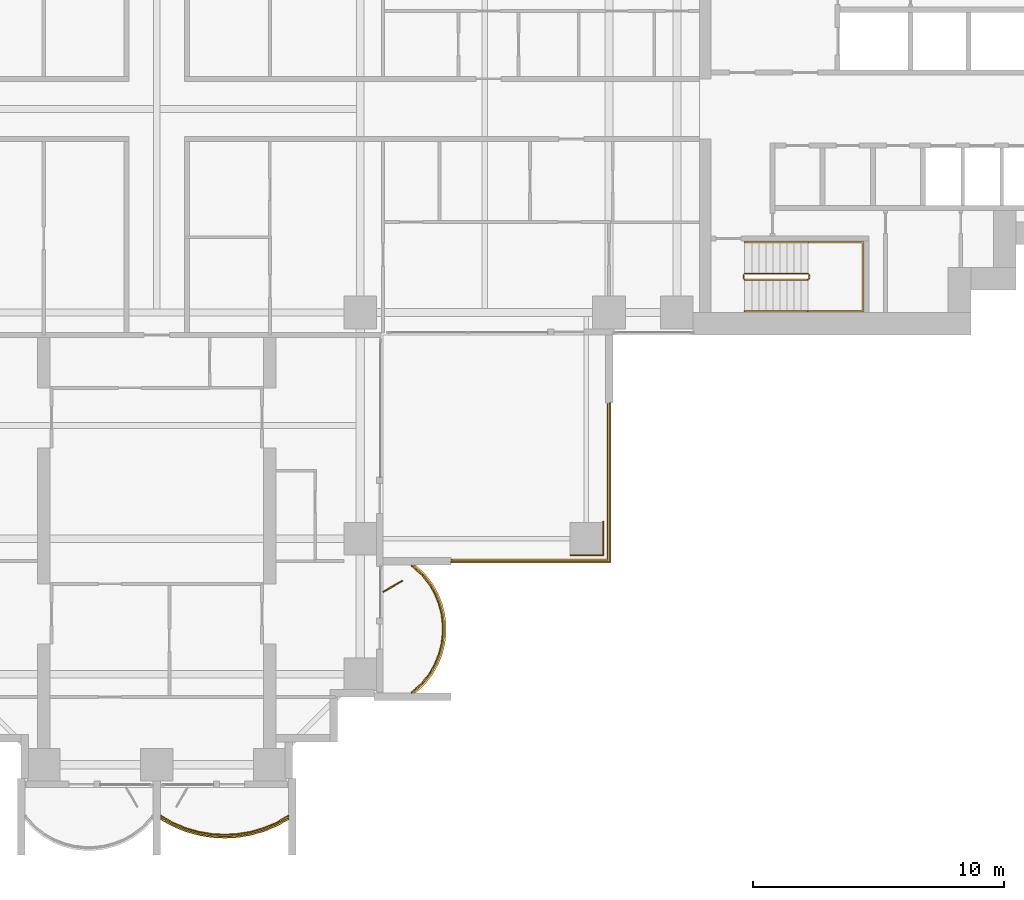
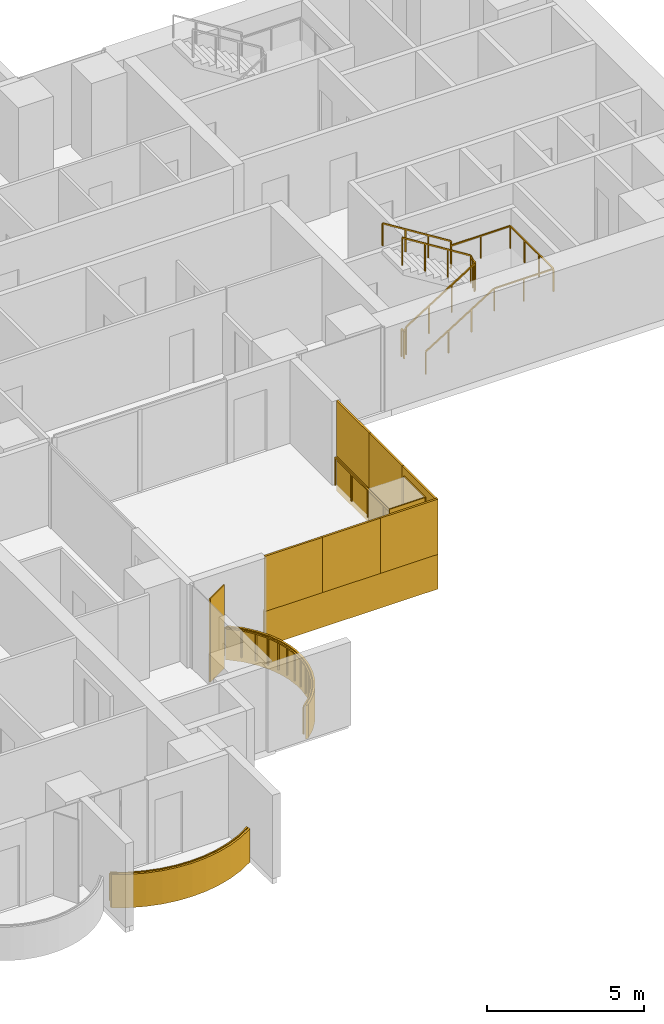
# One storey, part 18 of 20: 11 coverings, 5 railings, 1 shading device.
"""IFC4 building model written with IfcOpenShell, lengths in metres."""

import ifcopenshell
import ifcopenshell.guid

model = None  # the IFC model being written
_history = None  # IfcOwnerHistory: only IFC2X3 demands one
_inside = {}  # id of a spatial element -> (the spatial element, [elements in it])
_under = {}  # id of a project, library or spatial element -> (it, [spatial elements below it])
_declared = {}  # id of a project -> (the project, [libraries it declares])
_typed = {}  # id of a type object -> (the type object, [elements of that type])
_made_of = {}  # id of a material, layer set ... -> (it, [elements and type objects made of it])


def new_model(schema):
    """Start an empty IFC model of exactly this schema.

    Asked for "IFC4X3", IfcOpenShell would pick the latest addendum, in which some entities
    have other attributes; the version numbers below select the first issue.
    IFC2X3 requires an IfcOwnerHistory on every rooted entity: one is made here for all.
    """
    global model, _history
    if schema == "IFC4X3":
        model = ifcopenshell.file(schema_version=(4, 3, 0, 0))
    else:
        model = ifcopenshell.file(schema=schema)
    _inside.clear()
    _under.clear()
    _declared.clear()
    _typed.clear()
    _made_of.clear()
    _history = None
    if model.schema == "IFC2X3":
        org = make("IfcOrganization", Name="unknown")
        user = make(
            "IfcPersonAndOrganization",
            ThePerson=make("IfcPerson", FamilyName="unknown"),
            TheOrganization=org,
        )
        app = make(
            "IfcApplication",
            ApplicationDeveloper=org,
            Version="unknown",
            ApplicationFullName="unknown",
            ApplicationIdentifier="unknown",
        )
        _history = make(
            "IfcOwnerHistory",
            OwningUser=user,
            OwningApplication=app,
            ChangeAction="ADDED",
            CreationDate=0,
        )
    return model


def make(cls, **values):
    """One entity of the class cls with the attributes given. An attribute that is None is left unset."""
    return model.create_entity(
        cls, **{name: value for name, value in values.items() if value is not None}
    )


def rooted(cls, **values):
    """An entity with a GlobalId (a new one), such as an element, a storey or a relation."""
    return make(cls, GlobalId=ifcopenshell.guid.new(), OwnerHistory=_history, **values)


def si_unit(unit_type, name, prefix=None):
    """IfcSIUnit, for example si_unit("LENGTHUNIT", "METRE", prefix="MILLI")."""
    return make("IfcSIUnit", UnitType=unit_type, Prefix=prefix, Name=name)


def assignment(units):
    """IfcUnitAssignment: the units of a project."""
    return None if units is None else make("IfcUnitAssignment", Units=units)


def point(xyz):
    """IfcCartesianPoint."""
    return None if xyz is None else make("IfcCartesianPoint", Coordinates=xyz)


def direction(xyz):
    """IfcDirection."""
    return None if xyz is None else make("IfcDirection", DirectionRatios=xyz)


def frame(location, z_axis=None, x_axis=None):
    """IfcAxis2Placement3D, a coordinate frame: its origin and axes. An axis left out is left unset."""
    return make(
        "IfcAxis2Placement3D",
        Location=point(location),
        Axis=direction(z_axis),
        RefDirection=direction(x_axis),
    )


def frame_2d(location, x_axis=None):
    """IfcAxis2Placement2D, a coordinate frame in the plane: its origin and x axis."""
    return make(
        "IfcAxis2Placement2D", Location=point(location), RefDirection=direction(x_axis)
    )


def origin():
    """The frame at (0, 0, 0) with its axes left unset."""
    return frame((0.0, 0.0, 0.0))


def origin_2d():
    """The frame at (0, 0) in the plane with its x axis left unset."""
    return frame_2d((0.0, 0.0))


def place(relative_to, where):
    """IfcLocalPlacement: puts the frame where relative to a parent placement (None: the world)."""
    return make(
        "IfcLocalPlacement", PlacementRelTo=relative_to, RelativePlacement=where
    )


def context(
    kind, dimensions, precision=None, world=None, true_north=None, identifier=None
):
    """IfcGeometricRepresentationContext, for example the 3D "Model" context."""
    return make(
        "IfcGeometricRepresentationContext",
        ContextIdentifier=identifier,
        ContextType=kind,
        CoordinateSpaceDimension=dimensions,
        Precision=precision,
        WorldCoordinateSystem=world,
        TrueNorth=true_north,
    )


def subcontext(parent, identifier, kind, view, scale=None):
    """IfcGeometricRepresentationSubContext, for example "Body" below "Model"."""
    return make(
        "IfcGeometricRepresentationSubContext",
        ContextIdentifier=identifier,
        ContextType=kind,
        ParentContext=parent,
        TargetScale=scale,
        TargetView=view,
    )


def project(units=None, contexts=None):
    """IfcProject with its units and contexts."""
    return rooted(
        "IfcProject",
        Name="project",
        RepresentationContexts=contexts,
        UnitsInContext=assignment(units),
    )


def spatial(cls, under=None, at=None, **own):
    """A site, building, storey or space (cls), placed at a placement, below another one or the project."""
    s = rooted(cls, ObjectPlacement=at, **own)
    if under is not None:
        _under.setdefault(under.id(), (under, []))[1].append(s)
    return s


def polyline(points):
    """IfcPolyline through the points."""
    return make("IfcPolyline", Points=[point(p) for p in points])


def profile(cls, at=None, kind="AREA", **sizes):
    """A parametric profile (cls). Its sizes go by their IFC names, for example OverallWidth=200.0."""
    return make(cls, ProfileType=kind, Position=at, **sizes)


def rectangle(**sizes):
    """IfcRectangleProfileDef."""
    return profile("IfcRectangleProfileDef", **sizes)


def outline(outer, holes=None, kind="AREA"):
    """IfcArbitraryClosedProfileDef: a profile drawn as a closed curve; with holes, ...WithVoids."""
    if holes is None:
        return make("IfcArbitraryClosedProfileDef", ProfileType=kind, OuterCurve=outer)
    return make(
        "IfcArbitraryProfileDefWithVoids",
        ProfileType=kind,
        OuterCurve=outer,
        InnerCurves=holes,
    )


def extrude(swept, where, along, depth):
    """IfcExtrudedAreaSolid: the profile swept, set in the frame where, extruded along a direction by depth."""
    return make(
        "IfcExtrudedAreaSolid",
        SweptArea=swept,
        Position=where,
        ExtrudedDirection=direction(along),
        Depth=depth,
    )


def shape(context_of_items, identifier, shape_type, items):
    """IfcShapeRepresentation: the items that make up one representation, for example the "Body"."""
    return make(
        "IfcShapeRepresentation",
        ContextOfItems=context_of_items,
        RepresentationIdentifier=identifier,
        RepresentationType=shape_type,
        Items=items,
    )


def material(Name=None, Category=None):
    """IfcMaterial."""
    return make("IfcMaterial", Name=Name, Category=Category)


def layer(
    of_material, thickness, ventilated=None, Name=None, Category=None, Priority=None
):
    """IfcMaterialLayer: one layer of a wall or slab, of a material (None: an air gap)."""
    return make(
        "IfcMaterialLayer",
        Material=of_material,
        LayerThickness=thickness,
        IsVentilated=ventilated,
        Name=Name,
        Category=Category,
        Priority=Priority,
    )


def layer_set(layers, Name=None):
    """IfcMaterialLayerSet."""
    return make("IfcMaterialLayerSet", MaterialLayers=layers, LayerSetName=Name)


def made_of(thing, what):
    """Note that an element or type object is made of a material, layer set ...; save() writes the relation."""
    if what is not None:
        _made_of.setdefault(what.id(), (what, []))[1].append(thing)
    return thing


def type_object(cls, material=None, **own):
    """A type object (cls), such as IfcWallType, which elements share."""
    return made_of(rooted(cls, **own), material)


def element(
    cls,
    number,
    at=None,
    inside=None,
    cuts=None,
    type_object=None,
    material=None,
    context=None,
    identifier="Body",
    shape_type=None,
    held_by="IfcProductDefinitionShape",
    body=None,
    shapes=None,
    **own,
):
    """One element of the class cls, such as IfcWall. Its Tag is "e" and its number.

    at: its placement. inside: the storey or other place that contains it. cuts: it is an
    opening in that element (IfcRelVoidsElement). A single representation is given by context,
    identifier, shape_type and body (its items); several are given by shapes. held_by: the class
    of the entity that holds the representations. save() writes the other relations.
    """
    e = rooted(cls, Tag="e%d" % number, ObjectPlacement=at, **own)
    if body is not None:
        shapes = [shape(context, identifier, shape_type, body)]
    if shapes is not None:
        e.Representation = make(held_by, Representations=shapes)
    if inside is not None:
        _inside.setdefault(inside.id(), (inside, []))[1].append(e)
    if cuts is not None:
        rooted(
            "IfcRelVoidsElement", RelatingBuildingElement=cuts, RelatedOpeningElement=e
        )
    if type_object is not None:
        _typed.setdefault(type_object.id(), (type_object, []))[1].append(e)
    return made_of(e, material)


def aggregate(whole, parts):
    """IfcRelAggregates: a whole, such as a stair, and the parts it consists of."""
    return rooted("IfcRelAggregates", RelatingObject=whole, RelatedObjects=parts)


def save(model, path):
    """Write the relations noted so far, then the file.

    IfcRelAggregates (storeys below a building ...), IfcRelContainedInSpatialStructure (elements
    in a storey), IfcRelDefinesByType, IfcRelAssociatesMaterial and IfcRelDeclares: one each for
    every whole, place, type object, material and project.
    """
    for whole, parts in _under.values():
        aggregate(whole, parts)
    for where, things in _inside.values():
        rooted(
            "IfcRelContainedInSpatialStructure",
            RelatedElements=things,
            RelatingStructure=where,
        )
    for kind, things in _typed.values():
        rooted("IfcRelDefinesByType", RelatedObjects=things, RelatingType=kind)
    for what, things in _made_of.values():
        rooted("IfcRelAssociatesMaterial", RelatedObjects=things, RelatingMaterial=what)
    for by, libraries in _declared.values():
        rooted("IfcRelDeclares", RelatingContext=by, RelatedDefinitions=libraries)
    model.write(path)


model = new_model("IFC4")

# Units and contexts
model_context = context("Model", 3, precision=1e-05, world=origin(), true_north=direction((0.0, 1.0)))
body_context = subcontext(model_context, "Body", "Model", "MODEL_VIEW")
ifc_project = project(units=[si_unit("LENGTHUNIT", "METRE"), si_unit("AREAUNIT", "SQUARE_METRE"), si_unit("VOLUMEUNIT", "CUBIC_METRE"), si_unit("PLANEANGLEUNIT", "RADIAN"), si_unit("MASSUNIT", "GRAM", prefix="KILO")], contexts=[model_context])

# Site, building, storey
site_placement = place(None, origin())
site = spatial("IfcSite", under=ifc_project, at=site_placement, CompositionType="ELEMENT")
building_placement = place(site_placement, origin())
building = spatial("IfcBuilding", under=site, at=building_placement, Name="Perihelion Cross Residences", CompositionType="ELEMENT")
storey_placement = place(building_placement, frame((0.0, 0.0, 82.0)))
storey = spatial("IfcBuildingStorey", under=building, at=storey_placement, Name="L18", CompositionType="ELEMENT", Elevation=82.0)

# Coverings
ifc_material_1 = material(Name="Bronze anodised aluminium", Category="aluminium")
ifc_layer_1 = layer(ifc_material_1, 0.070068359375)
ifc_layer_set_1 = layer_set([ifc_layer_1], Name="Balcony fascia 1300")
covering_type_1 = type_object("IfcCoveringType", Name="Balcony fascia 1300", PredefinedType="CLADDING", material=ifc_layer_set_1)
covering_1_placement = place(storey_placement, frame((0.0, 0.0, -0.199951171875)))
element("IfcCovering", 1, at=covering_1_placement, inside=storey, type_object=covering_type_1, Name="Fascia BF1 L18 south tip south bay 2", PredefinedType="CLADDING", context=body_context, shape_type="SweptSolid", body=[
    extrude(outline(polyline([(0.629638671875, -28.54833984375), (1.147216796875, -28.7607421875), (1.664794921875, -28.906494140625), (2.182373046875, -28.991943359375), (2.699951171875, -29.02001953125), (3.217529296875, -28.991943359375), (3.735107421875, -28.906494140625), (4.2529296875, -28.7607421875), (4.7705078125, -28.54833984375), (5.25, -28.2802734375), (5.25, -28.199951171875), (4.739990234375, -28.4853515625), (4.22998046875, -28.694580078125), (3.719970703125, -28.838134765625), (3.2099609375, -28.92236328125), (2.699951171875, -28.949951171875), (2.18994140625, -28.92236328125), (1.679931640625, -28.838134765625), (1.169921875, -28.694580078125), (0.659912109375, -28.4853515625), (0.14990234375, -28.199951171875), (0.14990234375, -28.2802734375), (0.629638671875, -28.54833984375)])), origin(), (0.0, 0.0, 1.0), 1.300048828125),
])
covering_2_placement = place(storey_placement, frame((0.0, 0.0, -0.199951171875)))
element("IfcCovering", 2, at=covering_2_placement, inside=storey, type_object=covering_type_1, Name="Fascia BF1 L18 south side east bay 1", PredefinedType="CLADDING", context=body_context, shape_type="SweptSolid", body=[
    extrude(outline(polyline([(10.674072265625, -22.90478515625), (10.982666015625, -22.50390625), (11.20654296875, -22.10302734375), (11.364013671875, -21.7021484375), (11.464599609375, -21.30126953125), (11.513916015625, -20.900390625), (11.513916015625, -20.49951171875), (11.464599609375, -20.0986328125), (11.364013671875, -19.69775390625), (11.20654296875, -19.296875), (10.982666015625, -18.89599609375), (10.674072265625, -18.4951171875), (10.302734375, -18.14990234375), (10.199951171875, -18.14990234375), (10.622314453125, -18.542236328125), (10.924072265625, -18.9345703125), (11.143310546875, -19.326904296875), (11.29736328125, -19.71923828125), (11.39599609375, -20.111572265625), (11.444091796875, -20.50390625), (11.444091796875, -20.896240234375), (11.39599609375, -21.28857421875), (11.29736328125, -21.6806640625), (11.143310546875, -22.072998046875), (10.924072265625, -22.46533203125), (10.622314453125, -22.857666015625), (10.199951171875, -23.25), (10.302734375, -23.25), (10.674072265625, -22.90478515625)])), origin(), (0.0, 0.0, 1.0), 1.300048828125),
])

# Railings
ifc_material_2 = material(Name="Bronze anodised aluminium", Category="aluminium")
railing_type_1 = type_object("IfcRailingType", Name="Balcony guard 1100", PredefinedType="GUARDRAIL", material=ifc_material_2)
railing_1_placement = place(storey_placement, frame((0.175048828125, -28.139892578125, 0.0)))
element("IfcRailing", 3, at=railing_1_placement, inside=storey, type_object=railing_type_1, Name="Guard GU1 L18 south tip south bay 2 balcony", PredefinedType="GUARDRAIL", context=body_context, shape_type="SweptSolid", body=[
    extrude(rectangle(XDim=0.048095703125, YDim=0.048095703125, at=origin_2d()), frame((0.0, 0.0, 1.076171875), z_axis=(0.861789164031, -0.507266632806, 0.0), x_axis=(0.507266632806, 0.861789164031, 0.0)), (0.0, 0.0, 1.0), 0.562744140625),
    extrude(rectangle(XDim=0.048095703125, YDim=0.048095703125, at=origin_2d()), frame((0.48486328125, -0.285400390625, 1.076171875), z_axis=(0.925172605972, -0.379546636342, 0.0), x_axis=(0.379546636342, 0.925172605972, 0.0)), (0.0, 0.0, 1.0), 0.55126953125),
    extrude(rectangle(XDim=0.048095703125, YDim=0.048095703125, at=origin_2d()), frame((0.994873046875, -0.49462890625, 1.076171875), z_axis=(0.962474364231, -0.271372618732, 0.0), x_axis=(0.271372618732, 0.962474364231, 0.0)), (0.0, 0.0, 1.0), 0.52978515625),
    extrude(rectangle(XDim=0.048095703125, YDim=0.048095703125, at=origin_2d()), frame((1.5048828125, -0.638427734375, 1.076171875), z_axis=(0.986711211531, -0.162483799314, 0.0), x_axis=(0.162483799314, 0.986711211531, 0.0)), (0.0, 0.0, 1.0), 0.516845703125),
    extrude(rectangle(XDim=0.048095703125, YDim=0.048095703125, at=origin_2d()), frame((2.014892578125, -0.722412109375, 1.076171875), z_axis=(0.998540183677, -0.05401390175, 0.0), x_axis=(0.05401390175, 0.998540183677, 0.0)), (0.0, 0.0, 1.0), 0.5107421875),
    extrude(rectangle(XDim=0.048095703125, YDim=0.048095703125, at=origin_2d()), frame((2.52490234375, -0.75, 1.076171875), z_axis=(0.998540183677, 0.05401390175, 0.0), x_axis=(-0.05401390175, 0.998540183677, 0.0)), (0.0, 0.0, 1.0), 0.5107421875),
    extrude(rectangle(XDim=0.048095703125, YDim=0.048095703125, at=origin_2d()), frame((3.034912109375, -0.722412109375, 1.076171875), z_axis=(0.986711211531, 0.162483799314, 0.0), x_axis=(-0.162483799314, 0.986711211531, 0.0)), (0.0, 0.0, 1.0), 0.516845703125),
    extrude(rectangle(XDim=0.048095703125, YDim=0.048095703125, at=origin_2d()), frame((3.544921875, -0.638427734375, 1.076171875), z_axis=(0.962474364231, 0.271372618732, 0.0), x_axis=(-0.271372618732, 0.962474364231, 0.0)), (0.0, 0.0, 1.0), 0.52978515625),
    extrude(rectangle(XDim=0.048095703125, YDim=0.048095703125, at=origin_2d()), frame((4.054931640625, -0.49462890625, 1.076171875), z_axis=(0.925172605972, 0.379546636342, 0.0), x_axis=(-0.379546636342, 0.925172605972, 0.0)), (0.0, 0.0, 1.0), 0.55126953125),
    extrude(rectangle(XDim=0.048095703125, YDim=0.048095703125, at=origin_2d()), frame((4.56494140625, -0.285400390625, 1.076171875), z_axis=(0.861900760591, 0.507076995033, 0.0), x_axis=(-0.507076995033, 0.861900760591, 0.0)), (0.0, 0.0, 1.0), 0.562744140625),
    extrude(rectangle(XDim=0.0419921875, YDim=0.0419921875, at=origin_2d()), origin(), (0.0, 0.0, 1.0), 1.052001953125),
    extrude(rectangle(XDim=0.0419921875, YDim=0.0419921875, at=origin_2d()), frame((0.48486328125, -0.285400390625, 0.0)), (0.0, 0.0, 1.0), 1.052001953125),
    extrude(rectangle(XDim=0.0419921875, YDim=0.0419921875, at=origin_2d()), frame((0.994873046875, -0.49462890625, 0.0)), (0.0, 0.0, 1.0), 1.052001953125),
    extrude(rectangle(XDim=0.0419921875, YDim=0.0419921875, at=origin_2d()), frame((1.5048828125, -0.638427734375, 0.0)), (0.0, 0.0, 1.0), 1.052001953125),
    extrude(rectangle(XDim=0.0419921875, YDim=0.0419921875, at=origin_2d()), frame((2.014892578125, -0.722412109375, 0.0)), (0.0, 0.0, 1.0), 1.052001953125),
    extrude(rectangle(XDim=0.0419921875, YDim=0.0419921875, at=origin_2d()), frame((2.52490234375, -0.75, 0.0)), (0.0, 0.0, 1.0), 1.052001953125),
    extrude(rectangle(XDim=0.0419921875, YDim=0.0419921875, at=origin_2d()), frame((3.034912109375, -0.722412109375, 0.0)), (0.0, 0.0, 1.0), 1.052001953125),
    extrude(rectangle(XDim=0.0419921875, YDim=0.0419921875, at=origin_2d()), frame((3.544921875, -0.638427734375, 0.0)), (0.0, 0.0, 1.0), 1.052001953125),
    extrude(rectangle(XDim=0.0419921875, YDim=0.0419921875, at=origin_2d()), frame((4.054931640625, -0.49462890625, 0.0)), (0.0, 0.0, 1.0), 1.052001953125),
    extrude(rectangle(XDim=0.0419921875, YDim=0.0419921875, at=origin_2d()), frame((4.56494140625, -0.285400390625, 0.0)), (0.0, 0.0, 1.0), 1.052001953125),
    extrude(rectangle(XDim=0.0419921875, YDim=0.0419921875, at=origin_2d()), frame((5.050048828125, 0.0, 0.0)), (0.0, 0.0, 1.0), 1.052001953125),
])
railing_2_placement = place(storey_placement, frame((10.139892578125, -23.22509765625, 0.0)))
element("IfcRailing", 4, at=railing_2_placement, inside=storey, type_object=railing_type_1, Name="Guard GU1 L18 south side east bay 1 balcony", PredefinedType="GUARDRAIL", context=body_context, shape_type="SweptSolid", body=[
    extrude(rectangle(XDim=0.048095703125, YDim=0.048095703125, at=origin_2d()), frame((0.0, 0.0, 1.076171875), z_axis=(0.754464673757, 0.656340655493, 0.0), x_axis=(-0.656340655493, 0.754464673757, 0.0)), (0.0, 0.0, 1.0), 0.559814453125),
    extrude(rectangle(XDim=0.048095703125, YDim=0.048095703125, at=origin_2d()), frame((0.42236328125, 0.367431640625, 1.076171875), z_axis=(0.60966308455, 0.792660660899, 0.0), x_axis=(-0.792660660899, 0.60966308455, 0.0)), (0.0, 0.0, 1.0), 0.494873046875),
    extrude(rectangle(XDim=0.048095703125, YDim=0.048095703125, at=origin_2d()), frame((0.72412109375, 0.759765625, 1.076171875), z_axis=(0.487809182674, 0.872950285698, 0.0), x_axis=(-0.872950285698, 0.487809182674, 0.0)), (0.0, 0.0, 1.0), 0.449462890625),
    extrude(rectangle(XDim=0.048095703125, YDim=0.048095703125, at=origin_2d()), frame((0.943359375, 1.152099609375, 1.076171875), z_axis=(0.365491079925, 0.930814842219, 0.0), x_axis=(-0.930814842219, 0.365491079925, 0.0)), (0.0, 0.0, 1.0), 0.42138671875),
    extrude(rectangle(XDim=0.048095703125, YDim=0.048095703125, at=origin_2d()), frame((1.097412109375, 1.54443359375, 1.076171875), z_axis=(0.243956193074, 0.969786252666, 0.0), x_axis=(-0.969786252666, 0.243956193074, 0.0)), (0.0, 0.0, 1.0), 0.404296875),
    extrude(rectangle(XDim=0.048095703125, YDim=0.048095703125, at=origin_2d()), frame((1.196044921875, 1.9365234375, 1.076171875), z_axis=(0.121677797999, 0.992569651699, 0.0), x_axis=(-0.992569651699, 0.121677797999, 0.0)), (0.0, 0.0, 1.0), 0.395263671875),
    extrude(rectangle(XDim=0.048095703125, YDim=0.048095703125, at=origin_2d()), frame((1.244140625, 2.328857421875, 1.076171875), z_axis=(0.0, 1.0, 0.0), x_axis=(-1.0, 0.0, 0.0)), (0.0, 0.0, 1.0), 0.392333984375),
    extrude(rectangle(XDim=0.048095703125, YDim=0.048095703125, at=origin_2d()), frame((1.244140625, 2.72119140625, 1.076171875), z_axis=(-0.121677797999, 0.992569651699, 0.0), x_axis=(-0.992569651699, -0.121677797999, 0.0)), (0.0, 0.0, 1.0), 0.395263671875),
    extrude(rectangle(XDim=0.048095703125, YDim=0.048095703125, at=origin_2d()), frame((1.196044921875, 3.113525390625, 1.076171875), z_axis=(-0.243813411509, 0.969822159145, 0.0), x_axis=(-0.969822159145, -0.243813411509, 0.0)), (0.0, 0.0, 1.0), 0.404541015625),
    extrude(rectangle(XDim=0.048095703125, YDim=0.048095703125, at=origin_2d()), frame((1.097412109375, 3.505859375, 1.076171875), z_axis=(-0.365491079925, 0.930814842219, 0.0), x_axis=(-0.930814842219, -0.365491079925, 0.0)), (0.0, 0.0, 1.0), 0.42138671875),
    extrude(rectangle(XDim=0.048095703125, YDim=0.048095703125, at=origin_2d()), frame((0.943359375, 3.898193359375, 1.076171875), z_axis=(-0.487809182674, 0.872950285698, 0.0), x_axis=(-0.872950285698, -0.487809182674, 0.0)), (0.0, 0.0, 1.0), 0.449462890625),
    extrude(rectangle(XDim=0.048095703125, YDim=0.048095703125, at=origin_2d()), frame((0.72412109375, 4.29052734375, 1.076171875), z_axis=(-0.60966308455, 0.792660660899, 0.0), x_axis=(-0.792660660899, -0.60966308455, 0.0)), (0.0, 0.0, 1.0), 0.494873046875),
    extrude(rectangle(XDim=0.048095703125, YDim=0.048095703125, at=origin_2d()), frame((0.42236328125, 4.682861328125, 1.076171875), z_axis=(-0.754680648599, 0.656092309534, 0.0), x_axis=(-0.656092309534, -0.754680648599, 0.0)), (0.0, 0.0, 1.0), 0.5595703125),
    extrude(rectangle(XDim=0.0419921875, YDim=0.0419921875, at=origin_2d()), origin(), (0.0, 0.0, 1.0), 1.052001953125),
    extrude(rectangle(XDim=0.0419921875, YDim=0.0419921875, at=origin_2d()), frame((0.42236328125, 0.367431640625, 0.0)), (0.0, 0.0, 1.0), 1.052001953125),
    extrude(rectangle(XDim=0.0419921875, YDim=0.0419921875, at=origin_2d()), frame((0.72412109375, 0.759765625, 0.0)), (0.0, 0.0, 1.0), 1.052001953125),
    extrude(rectangle(XDim=0.0419921875, YDim=0.0419921875, at=origin_2d()), frame((0.943359375, 1.152099609375, 0.0)), (0.0, 0.0, 1.0), 1.052001953125),
    extrude(rectangle(XDim=0.0419921875, YDim=0.0419921875, at=origin_2d()), frame((1.097412109375, 1.54443359375, 0.0)), (0.0, 0.0, 1.0), 1.052001953125),
    extrude(rectangle(XDim=0.0419921875, YDim=0.0419921875, at=origin_2d()), frame((1.196044921875, 1.9365234375, 0.0)), (0.0, 0.0, 1.0), 1.052001953125),
    extrude(rectangle(XDim=0.0419921875, YDim=0.0419921875, at=origin_2d()), frame((1.244140625, 2.328857421875, 0.0)), (0.0, 0.0, 1.0), 1.052001953125),
    extrude(rectangle(XDim=0.0419921875, YDim=0.0419921875, at=origin_2d()), frame((1.244140625, 2.72119140625, 0.0)), (0.0, 0.0, 1.0), 1.052001953125),
    extrude(rectangle(XDim=0.0419921875, YDim=0.0419921875, at=origin_2d()), frame((1.196044921875, 3.113525390625, 0.0)), (0.0, 0.0, 1.0), 1.052001953125),
    extrude(rectangle(XDim=0.0419921875, YDim=0.0419921875, at=origin_2d()), frame((1.097412109375, 3.505859375, 0.0)), (0.0, 0.0, 1.0), 1.052001953125),
    extrude(rectangle(XDim=0.0419921875, YDim=0.0419921875, at=origin_2d()), frame((0.943359375, 3.898193359375, 0.0)), (0.0, 0.0, 1.0), 1.052001953125),
    extrude(rectangle(XDim=0.0419921875, YDim=0.0419921875, at=origin_2d()), frame((0.72412109375, 4.29052734375, 0.0)), (0.0, 0.0, 1.0), 1.052001953125),
    extrude(rectangle(XDim=0.0419921875, YDim=0.0419921875, at=origin_2d()), frame((0.42236328125, 4.682861328125, 0.0)), (0.0, 0.0, 1.0), 1.052001953125),
    extrude(rectangle(XDim=0.0419921875, YDim=0.0419921875, at=origin_2d()), frame((0.0, 5.050048828125, 0.0)), (0.0, 0.0, 1.0), 1.052001953125),
])
railing_3_placement = place(storey_placement, frame((17.93994140625, -11.739990234375, 0.0)))
element("IfcRailing", 5, at=railing_3_placement, inside=storey, type_object=railing_type_1, Name="Guard GU1 L18 pocket south-east 1", PredefinedType="GUARDRAIL", context=body_context, shape_type="SweptSolid", body=[
    extrude(rectangle(XDim=0.048095703125, YDim=0.048095703125, at=origin_2d()), frame((0.0, 0.0, 1.076171875), z_axis=(0.0, -1.0, 0.0), x_axis=(1.0, 0.0, 0.0)), (0.0, 0.0, 1.0), 6.199951171875),
    extrude(rectangle(XDim=0.048095703125, YDim=0.048095703125, at=origin_2d()), frame((0.0, -6.199951171875, 1.076171875), z_axis=(-1.0, 0.0, 0.0), x_axis=(0.0, -1.0, 0.0)), (0.0, 0.0, 1.0), 6.199951171875),
    extrude(rectangle(XDim=0.0419921875, YDim=0.0419921875, at=origin_2d()), origin(), (0.0, 0.0, 1.0), 1.052001953125),
    extrude(rectangle(XDim=0.0419921875, YDim=0.0419921875, at=origin_2d()), frame((0.0, -1.033203125, 0.0)), (0.0, 0.0, 1.0), 1.052001953125),
    extrude(rectangle(XDim=0.0419921875, YDim=0.0419921875, at=origin_2d()), frame((0.0, -2.066650390625, 0.0)), (0.0, 0.0, 1.0), 1.052001953125),
    extrude(rectangle(XDim=0.0419921875, YDim=0.0419921875, at=origin_2d()), frame((0.0, -3.10009765625, 0.0)), (0.0, 0.0, 1.0), 1.052001953125),
    extrude(rectangle(XDim=0.0419921875, YDim=0.0419921875, at=origin_2d()), frame((0.0, -4.13330078125, 0.0)), (0.0, 0.0, 1.0), 1.052001953125),
    extrude(rectangle(XDim=0.0419921875, YDim=0.0419921875, at=origin_2d()), frame((0.0, -5.16650390625, 0.0)), (0.0, 0.0, 1.0), 1.052001953125),
    extrude(rectangle(XDim=0.0419921875, YDim=0.0419921875, at=origin_2d()), frame((0.0, -6.199951171875, 0.0)), (0.0, 0.0, 1.0), 1.052001953125),
    extrude(rectangle(XDim=0.0419921875, YDim=0.0419921875, at=origin_2d()), frame((-1.033203125, -6.199951171875, 0.0)), (0.0, 0.0, 1.0), 1.052001953125),
    extrude(rectangle(XDim=0.0419921875, YDim=0.0419921875, at=origin_2d()), frame((-2.066650390625, -6.199951171875, 0.0)), (0.0, 0.0, 1.0), 1.052001953125),
    extrude(rectangle(XDim=0.0419921875, YDim=0.0419921875, at=origin_2d()), frame((-3.10009765625, -6.199951171875, 0.0)), (0.0, 0.0, 1.0), 1.052001953125),
    extrude(rectangle(XDim=0.0419921875, YDim=0.0419921875, at=origin_2d()), frame((-4.13330078125, -6.199951171875, 0.0)), (0.0, 0.0, 1.0), 1.052001953125),
    extrude(rectangle(XDim=0.0419921875, YDim=0.0419921875, at=origin_2d()), frame((-5.16650390625, -6.199951171875, 0.0)), (0.0, 0.0, 1.0), 1.052001953125),
    extrude(rectangle(XDim=0.0419921875, YDim=0.0419921875, at=origin_2d()), frame((-6.199951171875, -6.199951171875, 0.0)), (0.0, 0.0, 1.0), 1.052001953125),
])

# Coverings
ifc_material_3 = material(Name="Bronze anodised aluminium", Category="aluminium")
ifc_layer_2 = layer(ifc_material_3, 0.0400390625)
ifc_layer_set_2 = layer_set([ifc_layer_2], Name="Bronze column casing 40")
covering_type_2 = type_object("IfcCoveringType", Name="Bronze column casing 40", PredefinedType="CLADDING", material=ifc_layer_set_2)
covering_3_placement = place(storey_placement, frame((17.77001953125, -17.10009765625, -0.25), z_axis=(0.0, 0.0, 1.0), x_axis=(1.0, 0.0, 0.0)))
element("IfcCovering", 6, at=covering_3_placement, inside=storey, type_object=covering_type_2, Name="Cladding CC1 L18 casing east-west no. 3", PredefinedType="CLADDING", context=body_context, shape_type="SweptSolid", body=[
    extrude(rectangle(XDim=0.0400390625, YDim=1.3798828125, at=origin_2d()), origin(), (0.0, 0.0, 1.0), 3.5),
])
covering_4_placement = place(storey_placement, frame((17.10009765625, -17.77001953125, -0.25), z_axis=(0.0, 0.0, 1.0), x_axis=(1.0, 0.0, 0.0)))
element("IfcCovering", 7, at=covering_4_placement, inside=storey, type_object=covering_type_2, Name="Cladding CC1 L18 casing north-south no. 3", PredefinedType="CLADDING", context=body_context, shape_type="SweptSolid", body=[
    extrude(rectangle(XDim=1.300048828125, YDim=0.0400390625, at=origin_2d()), origin(), (0.0, 0.0, 1.0), 3.5),
])

# Shading device
ifc_material_4 = material(Name="Bronze anodised aluminium", Category="aluminium")
ifc_layer_3 = layer(ifc_material_4, 0.050048828125)
ifc_layer_set_3 = layer_set([ifc_layer_3], Name="Bronze fin 900")
shading_device_type = type_object("IfcShadingDeviceType", Name="Bronze fin 900", PredefinedType="USERDEFINED", material=ifc_layer_set_3)
shading_device_placement = place(storey_placement, frame((9.3896484375, -19.0, 0.0), z_axis=(0.0, 0.0, 1.0), x_axis=(0.866025403784, 0.5, 0.0)))
element("IfcShadingDevice", 8, at=shading_device_placement, inside=storey, type_object=shading_device_type, Name="Fin FN1 L18 south side east bay 1", ObjectType="FIN", PredefinedType="USERDEFINED", context=body_context, shape_type="SweptSolid", body=[
    extrude(rectangle(XDim=0.89990234375, YDim=0.050048828125, at=origin_2d()), origin(), (0.0, 0.0, 1.0), 3.25),
])

# Coverings
ifc_material_5 = material(Name="Bronze anodised aluminium", Category="aluminium")
ifc_layer_4 = layer(ifc_material_5, 0.070068359375)
ifc_layer_set_4 = layer_set([ifc_layer_4], Name="Pocket fascia 1350")
covering_type_3 = type_object("IfcCoveringType", Name="Pocket fascia 1350", PredefinedType="CLADDING", material=ifc_layer_set_4)
covering_5_placement = place(storey_placement, frame((0.0, 0.0, -0.25)))
element("IfcCovering", 9, at=covering_5_placement, inside=storey, type_object=covering_type_3, Name="Fascia BF2 L18 pocket south-east 3", PredefinedType="CLADDING", context=body_context, shape_type="SweptSolid", body=[
    extrude(outline(polyline([(18.070068359375, -18.070068359375), (18.070068359375, -11.699951171875), (18.0, -11.699951171875), (18.0, -18.0), (11.699951171875, -18.0), (11.699951171875, -18.070068359375), (18.070068359375, -18.070068359375)])), origin(), (0.0, 0.0, 1.0), 1.35009765625),
])
ifc_material_6 = material(Name="Bronze perforated aluminium", Category="aluminium")
ifc_layer_5 = layer(ifc_material_6, 0.070068359375)
ifc_layer_set_5 = layer_set([ifc_layer_5], Name="Pocket solar screen, bronze perforated")
covering_type_4 = type_object("IfcCoveringType", Name="Pocket solar screen, bronze perforated", PredefinedType="CLADDING", material=ifc_layer_set_5)
covering_6_placement = place(storey_placement, frame((0.0, 0.0, 1.10009765625)))
element("IfcCovering", 10, at=covering_6_placement, inside=storey, type_object=covering_type_4, Name="Solar screen PS1 L18 pocket south-east no. 1", PredefinedType="CLADDING", context=body_context, shape_type="SweptSolid", body=[
    extrude(outline(polyline([(18.070068359375, -18.0), (18.070068359375, -15.89990234375), (18.0, -15.89990234375), (18.0, -18.0), (18.070068359375, -18.0)])), origin(), (0.0, 0.0, 1.0), 2.14990234375),
])
covering_7_placement = place(storey_placement, frame((0.0, 0.0, 1.10009765625)))
element("IfcCovering", 11, at=covering_7_placement, inside=storey, type_object=covering_type_4, Name="Solar screen PS1 L18 pocket south-east no. 2", PredefinedType="CLADDING", context=body_context, shape_type="SweptSolid", body=[
    extrude(outline(polyline([(18.070068359375, -15.89990234375), (18.070068359375, -13.800048828125), (18.0, -13.800048828125), (18.0, -15.89990234375), (18.070068359375, -15.89990234375)])), origin(), (0.0, 0.0, 1.0), 2.14990234375),
])
covering_8_placement = place(storey_placement, frame((0.0, 0.0, 1.10009765625)))
element("IfcCovering", 12, at=covering_8_placement, inside=storey, type_object=covering_type_4, Name="Solar screen PS1 L18 pocket south-east no. 3", PredefinedType="CLADDING", context=body_context, shape_type="SweptSolid", body=[
    extrude(outline(polyline([(18.070068359375, -13.800048828125), (18.070068359375, -11.699951171875), (18.0, -11.699951171875), (18.0, -13.800048828125), (18.070068359375, -13.800048828125)])), origin(), (0.0, 0.0, 1.0), 2.14990234375),
])
covering_9_placement = place(storey_placement, frame((0.0, 0.0, 1.10009765625)))
element("IfcCovering", 13, at=covering_9_placement, inside=storey, type_object=covering_type_4, Name="Solar screen PS1 L18 pocket south-east no. 4", PredefinedType="CLADDING", context=body_context, shape_type="SweptSolid", body=[
    extrude(outline(polyline([(13.8232421875, -18.070068359375), (13.8232421875, -18.0), (11.699951171875, -18.0), (11.699951171875, -18.070068359375), (13.8232421875, -18.070068359375)])), origin(), (0.0, 0.0, 1.0), 2.14990234375),
])
covering_10_placement = place(storey_placement, frame((0.0, 0.0, 1.10009765625)))
element("IfcCovering", 14, at=covering_10_placement, inside=storey, type_object=covering_type_4, Name="Solar screen PS1 L18 pocket south-east no. 5", PredefinedType="CLADDING", context=body_context, shape_type="SweptSolid", body=[
    extrude(outline(polyline([(15.94677734375, -18.070068359375), (15.94677734375, -18.0), (13.8232421875, -18.0), (13.8232421875, -18.070068359375), (15.94677734375, -18.070068359375)])), origin(), (0.0, 0.0, 1.0), 2.14990234375),
])
covering_11_placement = place(storey_placement, frame((0.0, 0.0, 1.10009765625)))
element("IfcCovering", 15, at=covering_11_placement, inside=storey, type_object=covering_type_4, Name="Solar screen PS1 L18 pocket south-east no. 6", PredefinedType="CLADDING", context=body_context, shape_type="SweptSolid", body=[
    extrude(outline(polyline([(18.070068359375, -18.070068359375), (18.070068359375, -18.0), (15.94677734375, -18.0), (15.94677734375, -18.070068359375), (18.070068359375, -18.070068359375)])), origin(), (0.0, 0.0, 1.0), 2.14990234375),
])

# Railings
ifc_material_7 = material(Name="Stainless steel", Category="steel")
railing_type_2 = type_object("IfcRailingType", Name="Stair guard 1100", PredefinedType="GUARDRAIL", material=ifc_material_7)
railing_4_placement = place(storey_placement, frame((23.35009765625, -6.60009765625, 0.0)))
element("IfcRailing", 16, at=railing_4_placement, inside=storey, type_object=railing_type_2, Name="L18 ST-E2 stair guard 1", PredefinedType="GUARDRAIL", context=body_context, shape_type="SweptSolid", body=[
    extrude(rectangle(XDim=0.048095703125, YDim=0.048095703125, at=origin_2d()), frame((0.0, 0.0, 1.076171875), z_axis=(0.0, -1.0, 0.0), x_axis=(1.0, 0.0, 0.0)), (0.0, 0.0, 1.0), 0.14990234375),
    extrude(rectangle(XDim=0.048095703125, YDim=0.048095703125, at=origin_2d()), frame((0.0, -0.14990234375, 1.076171875), z_axis=(0.263862480399, -0.265155923931, 0.927399011991), x_axis=(0.708833529934, 0.705375805398, 0.0)), (0.0, 0.0, 1.0), 0.188720703125),
    extrude(rectangle(XDim=0.048095703125, YDim=0.048095703125, at=origin_2d()), frame((0.0498046875, -0.199951171875, 1.2509765625), z_axis=(0.848007534815, 0.0, 0.529984170421), x_axis=(0.0, 1.0, 0.0)), (0.0, 0.0, 1.0), 2.9716796875),
    extrude(rectangle(XDim=0.048095703125, YDim=0.048095703125, at=origin_2d()), frame((2.56982421875, -0.199951171875, 2.826171875), z_axis=(0.707106781187, 0.707106781187, 0.0), x_axis=(-0.707106781187, 0.707106781187, 0.0)), (0.0, 0.0, 1.0), 0.07080078125),
    extrude(rectangle(XDim=0.048095703125, YDim=0.048095703125, at=origin_2d()), frame((2.619873046875, -0.14990234375, 2.826171875), z_axis=(0.0, 1.0, 0.0), x_axis=(-1.0, 0.0, 0.0)), (0.0, 0.0, 1.0), 0.14990234375),
    extrude(rectangle(XDim=0.048095703125, YDim=0.048095703125, at=origin_2d()), frame((2.619873046875, 0.0, 2.826171875), z_axis=(-0.265065253269, 0.265065253269, 0.927081885822), x_axis=(-0.707106781187, -0.707106781187, 0.0)), (0.0, 0.0, 1.0), 0.188720703125),
    extrude(rectangle(XDim=0.048095703125, YDim=0.048095703125, at=origin_2d()), frame((2.56982421875, 0.050048828125, 3.0009765625), z_axis=(-0.848007534815, 0.0, 0.529984170421), x_axis=(0.0, -1.0, 0.0)), (0.0, 0.0, 1.0), 2.9716796875),
    extrude(rectangle(XDim=0.0419921875, YDim=0.0419921875, at=origin_2d()), origin(), (0.0, 0.0, 1.0), 1.052001953125),
    extrude(rectangle(XDim=0.0419921875, YDim=0.0419921875, at=origin_2d()), frame((0.0, -0.14990234375, 0.0)), (0.0, 0.0, 1.0), 1.052001953125),
    extrude(rectangle(XDim=0.0419921875, YDim=0.0419921875, at=origin_2d()), frame((0.0498046875, -0.199951171875, 0.175048828125)), (0.0, 0.0, 1.0), 1.052001953125),
    extrude(rectangle(XDim=0.0419921875, YDim=0.0419921875, at=origin_2d()), frame((0.889892578125, -0.199951171875, 0.699951171875)), (0.0, 0.0, 1.0), 1.052001953125),
    extrude(rectangle(XDim=0.0419921875, YDim=0.0419921875, at=origin_2d()), frame((1.729736328125, -0.199951171875, 1.22509765625)), (0.0, 0.0, 1.0), 1.052001953125),
    extrude(rectangle(XDim=0.0419921875, YDim=0.0419921875, at=origin_2d()), frame((2.56982421875, -0.199951171875, 1.75)), (0.0, 0.0, 1.0), 1.052001953125),
    extrude(rectangle(XDim=0.0419921875, YDim=0.0419921875, at=origin_2d()), frame((2.619873046875, -0.14990234375, 1.75)), (0.0, 0.0, 1.0), 1.052001953125),
    extrude(rectangle(XDim=0.0419921875, YDim=0.0419921875, at=origin_2d()), frame((2.619873046875, 0.0, 1.75)), (0.0, 0.0, 1.0), 1.052001953125),
    extrude(rectangle(XDim=0.0419921875, YDim=0.0419921875, at=origin_2d()), frame((2.56982421875, 0.050048828125, 1.925048828125)), (0.0, 0.0, 1.0), 1.052001953125),
    extrude(rectangle(XDim=0.0419921875, YDim=0.0419921875, at=origin_2d()), frame((1.729736328125, 0.050048828125, 2.449951171875)), (0.0, 0.0, 1.0), 1.052001953125),
    extrude(rectangle(XDim=0.0419921875, YDim=0.0419921875, at=origin_2d()), frame((0.889892578125, 0.050048828125, 2.97509765625)), (0.0, 0.0, 1.0), 1.052001953125),
    extrude(rectangle(XDim=0.0419921875, YDim=0.0419921875, at=origin_2d()), frame((0.0498046875, 0.050048828125, 3.5)), (0.0, 0.0, 1.0), 1.052001953125),
])
ifc_material_8 = material(Name="Stainless steel", Category="steel")
railing_type_3 = type_object("IfcRailingType", Name="Stair handrail 900", PredefinedType="HANDRAIL", material=ifc_material_8)
railing_5_placement = place(storey_placement, frame((23.39990234375, -8.050048828125, 0.175048828125)))
element("IfcRailing", 17, at=railing_5_placement, inside=storey, type_object=railing_type_3, Name="L18 ST-E2 stair handrail 1", PredefinedType="HANDRAIL", context=body_context, shape_type="SweptSolid", body=[
    extrude(rectangle(XDim=0.048095703125, YDim=0.048095703125, at=origin_2d()), frame((0.0, 0.0, 0.8759765625), z_axis=(0.848007534815, 0.0, 0.529984170421), x_axis=(0.0, 1.0, 0.0)), (0.0, 0.0, 1.0), 2.9716796875),
    extrude(rectangle(XDim=0.048095703125, YDim=0.048095703125, at=origin_2d()), frame((2.52001953125, 0.0, 2.45068359375), z_axis=(1.0, 0.0, 0.0), x_axis=(0.0, 1.0, 0.0)), (0.0, 0.0, 1.0), 2.18017578125),
    extrude(rectangle(XDim=0.048095703125, YDim=0.048095703125, at=origin_2d()), frame((4.7001953125, 0.0, 2.45068359375), z_axis=(0.0, 1.0, 0.0), x_axis=(-1.0, 0.0, 0.0)), (0.0, 0.0, 1.0), 2.75),
    extrude(rectangle(XDim=0.048095703125, YDim=0.048095703125, at=origin_2d()), frame((4.7001953125, 2.75, 2.45068359375), z_axis=(-1.0, 0.0, 0.0), x_axis=(0.0, -1.0, 0.0)), (0.0, 0.0, 1.0), 2.18017578125),
    extrude(rectangle(XDim=0.048095703125, YDim=0.048095703125, at=origin_2d()), frame((2.52001953125, 2.75, 2.45068359375), z_axis=(0.0, 0.0, 1.0), x_axis=(1.0, 0.0, 0.0)), (0.0, 0.0, 1.0), 0.175048828125),
    extrude(rectangle(XDim=0.048095703125, YDim=0.048095703125, at=origin_2d()), frame((2.52001953125, 2.75, 2.6259765625), z_axis=(-0.848007534815, 0.0, 0.529984170421), x_axis=(0.0, -1.0, 0.0)), (0.0, 0.0, 1.0), 2.9716796875),
    extrude(rectangle(XDim=0.0419921875, YDim=0.0419921875, at=origin_2d()), origin(), (0.0, 0.0, 1.0), 0.851806640625),
    extrude(rectangle(XDim=0.0419921875, YDim=0.0419921875, at=origin_2d()), frame((0.840087890625, 0.0, 0.52490234375)), (0.0, 0.0, 1.0), 0.851806640625),
    extrude(rectangle(XDim=0.0419921875, YDim=0.0419921875, at=origin_2d()), frame((1.679931640625, 0.0, 1.050048828125)), (0.0, 0.0, 1.0), 0.851806640625),
    extrude(rectangle(XDim=0.0419921875, YDim=0.0419921875, at=origin_2d()), frame((2.52001953125, 0.0, 1.574951171875)), (0.0, 0.0, 1.0), 0.851806640625),
    extrude(rectangle(XDim=0.0419921875, YDim=0.0419921875, at=origin_2d()), frame((3.610107421875, 0.0, 1.574951171875)), (0.0, 0.0, 1.0), 0.851806640625),
    extrude(rectangle(XDim=0.0419921875, YDim=0.0419921875, at=origin_2d()), frame((4.7001953125, 0.0, 1.574951171875)), (0.0, 0.0, 1.0), 0.851806640625),
    extrude(rectangle(XDim=0.0419921875, YDim=0.0419921875, at=origin_2d()), frame((4.7001953125, 0.916748046875, 1.574951171875)), (0.0, 0.0, 1.0), 0.851806640625),
    extrude(rectangle(XDim=0.0419921875, YDim=0.0419921875, at=origin_2d()), frame((4.7001953125, 1.833251953125, 1.574951171875)), (0.0, 0.0, 1.0), 0.851806640625),
    extrude(rectangle(XDim=0.0419921875, YDim=0.0419921875, at=origin_2d()), frame((4.7001953125, 2.75, 1.574951171875)), (0.0, 0.0, 1.0), 0.851806640625),
    extrude(rectangle(XDim=0.0419921875, YDim=0.0419921875, at=origin_2d()), frame((3.610107421875, 2.75, 1.574951171875)), (0.0, 0.0, 1.0), 0.851806640625),
    extrude(rectangle(XDim=0.0419921875, YDim=0.0419921875, at=origin_2d()), frame((2.52001953125, 2.75, 1.574951171875)), (0.0, 0.0, 1.0), 0.851806640625),
    extrude(rectangle(XDim=0.0419921875, YDim=0.0419921875, at=origin_2d()), frame((2.52001953125, 2.75, 1.75)), (0.0, 0.0, 1.0), 0.851806640625),
    extrude(rectangle(XDim=0.0419921875, YDim=0.0419921875, at=origin_2d()), frame((1.679931640625, 2.75, 2.27490234375)), (0.0, 0.0, 1.0), 0.851806640625),
    extrude(rectangle(XDim=0.0419921875, YDim=0.0419921875, at=origin_2d()), frame((0.840087890625, 2.75, 2.800048828125)), (0.0, 0.0, 1.0), 0.851806640625),
    extrude(rectangle(XDim=0.0419921875, YDim=0.0419921875, at=origin_2d()), frame((0.0, 2.75, 3.324951171875)), (0.0, 0.0, 1.0), 0.851806640625),
])

save(model, "model.ifc")
